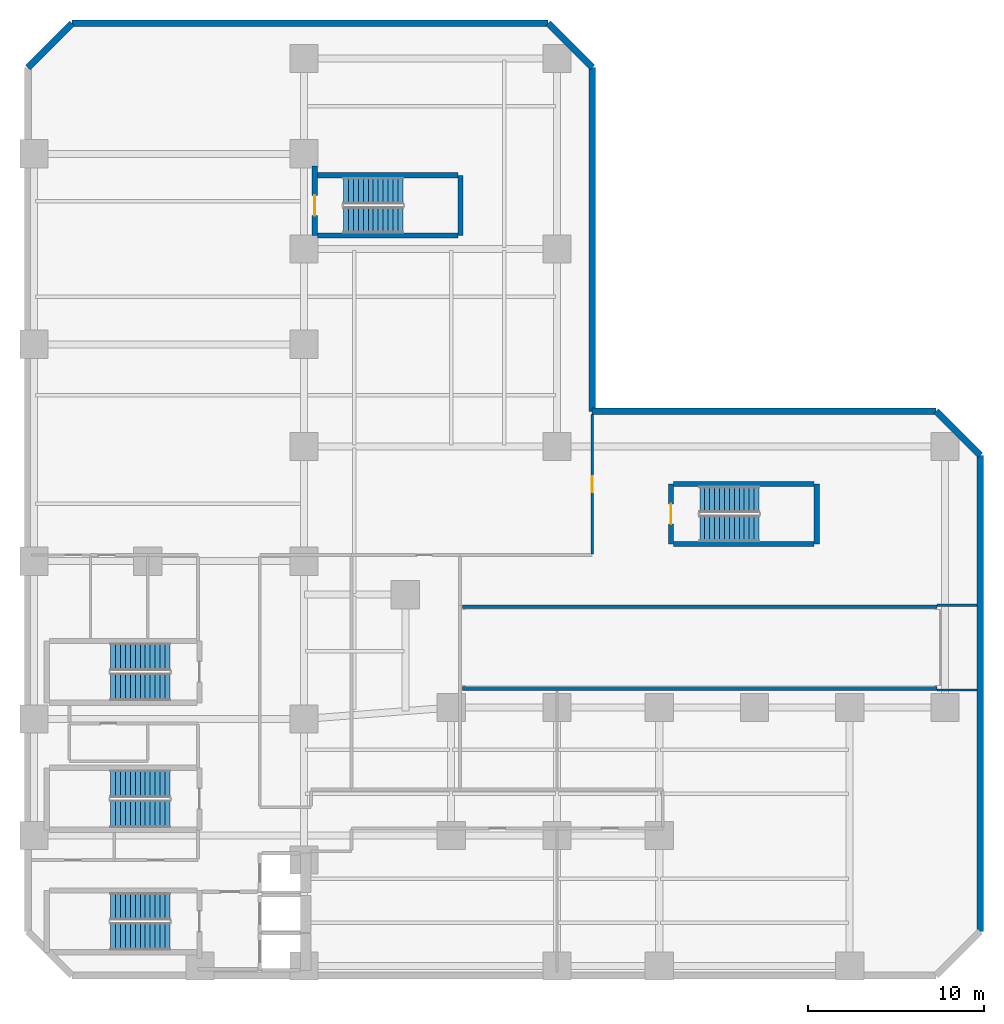
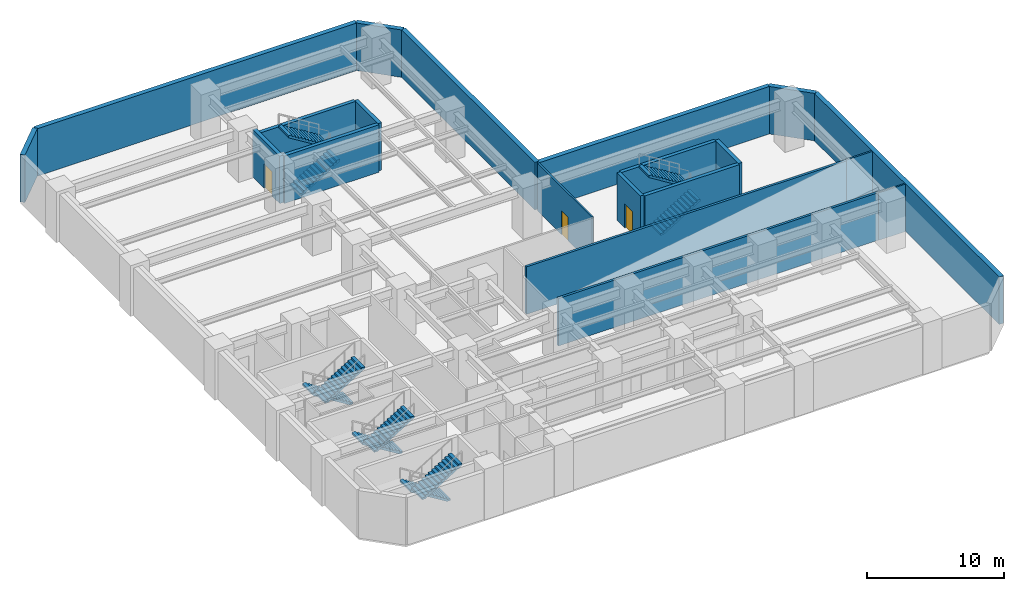
# One storey, part 4 of 7: 20 walls, 10 stair flights, 3 doors, 3 openings, 5 elements without a shape of their own.
"""IFC4 building model written with IfcOpenShell, lengths in metres."""

from ifc_helpers import new_model, si_unit, direction, frame, frame_2d, origin, place, context, subcontext, project, spatial, polyline, rectangle, outline, extrude, material, layer, layer_set, type_object, element, fill, aggregate, save


model = new_model("IFC4")

# Units and contexts
model_context = context("Model", 3, precision=1e-05, world=origin(), true_north=direction((0.0, 1.0)))
body_context = subcontext(model_context, "Body", "Model", "MODEL_VIEW")
ifc_project = project(units=[si_unit("LENGTHUNIT", "METRE"), si_unit("AREAUNIT", "SQUARE_METRE"), si_unit("VOLUMEUNIT", "CUBIC_METRE"), si_unit("PLANEANGLEUNIT", "RADIAN"), si_unit("MASSUNIT", "GRAM", prefix="KILO")], contexts=[model_context])

# Site, building, storey
site_placement = place(None, origin())
site = spatial("IfcSite", under=ifc_project, at=site_placement, CompositionType="ELEMENT")
building_placement = place(site_placement, origin())
building = spatial("IfcBuilding", under=site, at=building_placement, Name="Mawjaban Terraces University", CompositionType="ELEMENT")
storey_placement = place(building_placement, frame((0.0, 0.0, -4.5)))
storey = spatial("IfcBuildingStorey", under=building, at=storey_placement, Name="B1", CompositionType="ELEMENT", Elevation=-4.5)

# Walls
ifc_material_1 = material(Name="Concrete C50/60", Category="concrete")
ifc_layer_1 = layer(ifc_material_1, 0.3798828125)
ifc_layer_set_1 = layer_set([ifc_layer_1], Name="Concrete C50/60")
wall_type_1 = type_object("IfcWallType", Name="BsmtRetainingWall_380", PredefinedType="USERDEFINED", material=ifc_layer_set_1)
wall_1_placement = place(storey_placement, frame((76.0, 2.5, 0.0), z_axis=(0.0, 0.0, 1.0), x_axis=(0.0, 1.0, 0.0)))
element("IfcWall", 1, at=wall_1_placement, inside=storey, type_object=wall_type_1, Name="B1 Perimeter Retaining Wall 3", ObjectType="RETAININGWALL", PredefinedType="USERDEFINED", context=body_context, shape_type="SweptSolid", body=[
    extrude(rectangle(XDim=27.0, YDim=0.3798828125, at=frame_2d((13.5, 0.0))), origin(), (0.0, 0.0, 1.0), 4.219970703125),
])
wall_2_placement = place(storey_placement, frame((76.0, 29.5, 0.0), z_axis=(0.0, 0.0, 1.0), x_axis=(-0.707106781187, 0.707106781187, 0.0)))
element("IfcWall", 2, at=wall_2_placement, inside=storey, type_object=wall_type_1, Name="B1 Perimeter Retaining Wall 4", ObjectType="RETAININGWALL", PredefinedType="USERDEFINED", context=body_context, shape_type="SweptSolid", body=[
    extrude(rectangle(XDim=3.53564453125, YDim=0.3798828125, at=frame_2d((1.767822265625, 0.0))), origin(), (0.0, 0.0, 1.0), 4.219970703125),
])
for number, where, z_axis, x_axis, name in (
    (3, (73.5, 32.0, 0.0), (0.0, 0.0, 1.0), (-1.0, 0.0, 0.0), "B1 Perimeter Retaining Wall 5"),
    (4, (54.0, 32.0, 0.0), (0.0, 0.0, 1.0), (0.0, 1.0, 0.0), "B1 Perimeter Retaining Wall 6"),
):
    element("IfcWall", number, at=place(storey_placement, frame(where, z_axis=z_axis, x_axis=x_axis)), inside=storey, type_object=wall_type_1, Name=name, ObjectType="RETAININGWALL", PredefinedType="USERDEFINED", context=body_context, shape_type="SweptSolid", body=[
        extrude(rectangle(XDim=19.5, YDim=0.3798828125, at=frame_2d((9.75, 0.0))), origin(), (0.0, 0.0, 1.0), 4.219970703125),
    ])
wall_3_placement = place(storey_placement, frame((54.0, 51.5, 0.0), z_axis=(0.0, 0.0, 1.0), x_axis=(-0.707106781187, 0.707106781187, 0.0)))
element("IfcWall", 5, at=wall_3_placement, inside=storey, type_object=wall_type_1, Name="B1 Perimeter Retaining Wall 7", ObjectType="RETAININGWALL", PredefinedType="USERDEFINED", context=body_context, shape_type="SweptSolid", body=[
    extrude(rectangle(XDim=3.53564453125, YDim=0.3798828125, at=frame_2d((1.767822265625, 0.0))), origin(), (0.0, 0.0, 1.0), 4.219970703125),
])
wall_4_placement = place(storey_placement, frame((51.5, 54.0, 0.0), z_axis=(0.0, 0.0, 1.0), x_axis=(-1.0, 0.0, 0.0)))
element("IfcWall", 6, at=wall_4_placement, inside=storey, type_object=wall_type_1, Name="B1 Perimeter Retaining Wall 8", ObjectType="RETAININGWALL", PredefinedType="USERDEFINED", context=body_context, shape_type="SweptSolid", body=[
    extrude(rectangle(XDim=27.0, YDim=0.3798828125, at=frame_2d((13.5, 0.0))), origin(), (0.0, 0.0, 1.0), 4.219970703125),
])
wall_5_placement = place(storey_placement, frame((24.5, 54.0, 0.0), z_axis=(0.0, 0.0, 1.0), x_axis=(-0.707106781187, -0.707106781187, 0.0)))
element("IfcWall", 7, at=wall_5_placement, inside=storey, type_object=wall_type_1, Name="B1 Perimeter Retaining Wall 9", ObjectType="RETAININGWALL", PredefinedType="USERDEFINED", context=body_context, shape_type="SweptSolid", body=[
    extrude(rectangle(XDim=3.53564453125, YDim=0.3798828125, at=frame_2d((1.767822265625, 0.0))), origin(), (0.0, 0.0, 1.0), 4.219970703125),
])
ifc_material_2 = material(Name="Concrete C40/50", Category="concrete")
ifc_layer_2 = layer(ifc_material_2, 0.199951171875)
ifc_layer_set_2 = layer_set([ifc_layer_2], Name="Concrete C40/50")
wall_type_2 = type_object("IfcWallType", Name="FireLobbyWall_200", PredefinedType="SOLIDWALL", material=ifc_layer_set_2)
for number, where, z_axis, x_axis, name in (
    (8, (46.64990234375, 16.280029296875, 0.0), (0.0, 0.0, 1.0), (1.0, 0.0, 0.0), "B1 Vehicle Ramp Enclosure Wall S"),
    (9, (46.64990234375, 20.919921875, 0.0), (0.0, 0.0, 1.0), (1.0, 0.0, 0.0), "B1 Vehicle Ramp Enclosure Wall N"),
):
    element("IfcWall", number, at=place(storey_placement, frame(where, z_axis=z_axis, x_axis=x_axis)), inside=storey, type_object=wall_type_2, Name=name, PredefinedType="SOLIDWALL", context=body_context, shape_type="SweptSolid", body=[
        extrude(rectangle(XDim=26.900146484375, YDim=0.199951171875, at=frame_2d((13.4501953125, 0.0))), origin(), (0.0, 0.0, 1.0), 4.219970703125),
    ])
ifc_material_3 = material(Name="Moisture-resistant gypsum board on steel stud", Category="steel")
ifc_layer_3 = layer(ifc_material_3, 0.14501953125)
ifc_layer_set_3 = layer_set([ifc_layer_3], Name="Moisture-resistant gypsum board on steel stud")
wall_type_3 = type_object("IfcWallType", Name="LabPartition_145", PredefinedType="PARTITIONING", material=ifc_layer_set_3)
wall_6_placement = place(storey_placement, frame((73.550048828125, 21.0, 0.0), z_axis=(0.0, 0.0, 1.0), x_axis=(1.0, 0.0, 0.0)))
element("IfcWall", 10, at=wall_6_placement, inside=storey, type_object=wall_type_3, Name="B1 Basement Ventilation Plant Room Partition 22", PredefinedType="PARTITIONING", context=body_context, shape_type="SweptSolid", body=[
    extrude(rectangle(XDim=2.260009765625, YDim=0.14501953125, at=frame_2d((1.1298828125, 0.0))), origin(), (0.0, 0.0, 1.0), 4.219970703125),
])

# Wall, opening, door
wall_7_placement = place(storey_placement, frame((54.0, 23.91796875, 0.0), z_axis=(0.0, 0.0, 1.0), x_axis=(0.0, 1.0, 0.0)))
wall_7 = element("IfcWall", 11, at=wall_7_placement, inside=storey, type_object=wall_type_3, Name="B1 Enclosed Staff and Accessible Car Park Partition 41", PredefinedType="PARTITIONING", context=body_context, shape_type="SweptSolid", body=[
    extrude(rectangle(XDim=7.89208984375, YDim=0.14501953125, at=frame_2d((3.946044921875, 0.0))), origin(), (0.0, 0.0, 1.0), 4.219970703125),
])
opening_1_placement = place(wall_7_placement, frame((3.49609375, 0.0, 0.0)))
opening_1 = element("IfcOpeningElement", 12, at=opening_1_placement, cuts=wall_7, Name="Opening ID-090", PredefinedType="OPENING", context=body_context, shape_type="SweptSolid", body=[
    extrude(rectangle(XDim=0.89990234375, YDim=2.10009765625, at=frame_2d((0.449951171875, 1.050048828125))), frame((0.0, 0.08251953125, 0.0), z_axis=(0.0, -1.0, 0.0), x_axis=(1.0, 0.0, 0.0)), (0.0, 0.0, 1.0), 0.1650390625),
])
ifc_material_4 = material(Name="Powder-coated steel frame and solid acoustic timber leaf", Category="steel")
door_type_1 = type_object("IfcDoorType", Name="OfficeDoor_900x2100", OperationType="NOTDEFINED", PredefinedType="DOOR", material=ifc_material_4)
door_1_placement = place(opening_1_placement, origin())
door_1 = element("IfcDoor", 13, at=door_1_placement, inside=storey, type_object=door_type_1, Name="B1 Basement Ventilation Plant Room Door", OperationType="SINGLE_SWING_RIGHT", OverallHeight=2.10009765625, OverallWidth=0.89990234375, PredefinedType="DOOR", context=body_context, shape_type="SweptSolid", body=[
    extrude(rectangle(XDim=0.89990234375, YDim=2.10009765625, at=frame_2d((0.449951171875, 1.050048828125))), frame((0.0, 0.02490234375, 0.0), z_axis=(0.0, -1.0, 0.0), x_axis=(1.0, 0.0, 0.0)), (0.0, 0.0, 1.0), 0.050048828125),
])
fill(opening_1, door_1)

# Walls
ifc_material_5 = material(Name="Gypsum plasterboard on steel stud", Category="steel")
ifc_layer_4 = layer(ifc_material_5, 0.125)
ifc_layer_set_4 = layer_set([ifc_layer_4], Name="Gypsum plasterboard on steel stud")
wall_type_4 = type_object("IfcWallType", Name="OfficePartition_125", PredefinedType="PARTITIONING", material=ifc_layer_set_4)
wall_8_placement = place(storey_placement, frame((75.81005859375, 16.199951171875, 0.0), z_axis=(0.0, 0.0, 1.0), x_axis=(-1.0, 0.0, 0.0)))
element("IfcWall", 14, at=wall_8_placement, inside=storey, type_object=wall_type_4, Name="B1 Campus Delivery Loading Bay Partition 23", PredefinedType="PARTITIONING", context=body_context, shape_type="SweptSolid", body=[
    extrude(rectangle(XDim=2.260009765625, YDim=0.125, at=frame_2d((1.1298828125, 0.0))), origin(), (0.0, 0.0, 1.0), 4.219970703125),
])
ifc_material_6 = material(Name="Concrete C60/75", Category="concrete")
ifc_layer_5 = layer(ifc_material_6, 0.300048828125)
ifc_layer_set_5 = layer_set([ifc_layer_5], Name="Concrete C60/75")
wall_type_5 = type_object("IfcWallType", Name="StairShaftWall_300", PredefinedType="SHEAR", material=ifc_layer_set_5)
wall_9_placement = place(storey_placement, frame((38.419921875, 41.969970703125, 0.0), z_axis=(0.0, 0.0, 1.0), x_axis=(1.0, 0.0, 0.0)))
element("IfcWall", 15, at=wall_9_placement, inside=storey, type_object=wall_type_5, Name="B1 ST-4 Stair Shaft Wall 1", PredefinedType="SHEAR", context=body_context, shape_type="SweptSolid", body=[
    extrude(rectangle(XDim=7.9599609375, YDim=0.300048828125, at=frame_2d((3.97998046875, 0.0))), origin(), (0.0, 0.0, 1.0), 4.219970703125),
])
wall_10_placement = place(storey_placement, frame((46.530029296875, 41.969970703125, 0.0), z_axis=(0.0, 0.0, 1.0), x_axis=(0.0, 1.0, 0.0)))
element("IfcWall", 16, at=wall_10_placement, inside=storey, type_object=wall_type_5, Name="B1 ST-4 Stair Shaft Wall 2", PredefinedType="SHEAR", context=body_context, shape_type="SweptSolid", body=[
    extrude(rectangle(XDim=3.409912109375, YDim=0.300048828125, at=frame_2d((1.705078125, 0.0))), origin(), (0.0, 0.0, 1.0), 4.219970703125),
])
wall_11_placement = place(storey_placement, frame((46.3798828125, 45.3798828125, 0.0), z_axis=(0.0, 0.0, 1.0), x_axis=(-1.0, 0.0, 0.0)))
element("IfcWall", 17, at=wall_11_placement, inside=storey, type_object=wall_type_5, Name="B1 ST-4 Stair Shaft Wall 3", PredefinedType="SHEAR", context=body_context, shape_type="SweptSolid", body=[
    extrude(rectangle(XDim=7.9599609375, YDim=0.300048828125, at=frame_2d((3.97998046875, 0.0))), origin(), (0.0, 0.0, 1.0), 4.219970703125),
])

# Wall, opening, door
wall_12_placement = place(storey_placement, frame((38.27001953125, 45.919921875, 0.0), z_axis=(0.0, 0.0, 1.0), x_axis=(0.0, -1.0, 0.0)))
wall_12 = element("IfcWall", 18, at=wall_12_placement, inside=storey, type_object=wall_type_5, Name="B1 ST-4 Stair Shaft Wall 4", PredefinedType="SHEAR", context=body_context, shape_type="SweptSolid", body=[
    extrude(rectangle(XDim=3.949951171875, YDim=0.300048828125, at=frame_2d((1.97509765625, 0.0))), origin(), (0.0, 0.0, 1.0), 4.219970703125),
])
opening_2_placement = place(wall_12_placement, frame((1.669921875, 0.0, 0.0)))
opening_2 = element("IfcOpeningElement", 19, at=opening_2_placement, cuts=wall_12, Name="Opening FD-115", PredefinedType="OPENING", context=body_context, shape_type="SweptSolid", body=[
    extrude(rectangle(XDim=1.14990234375, YDim=2.14990234375, at=frame_2d((0.574951171875, 1.074951171875))), frame((0.0, 0.159912109375, 0.0), z_axis=(0.0, -1.0, 0.0), x_axis=(1.0, 0.0, 0.0)), (0.0, 0.0, 1.0), 0.320068359375),
])
ifc_material_7 = material(Name="Powder-coated steel frame and fire-rated steel-faced leaf", Category="steel")
door_type_2 = type_object("IfcDoorType", Name="FireStairDoor_1150x2150", OperationType="NOTDEFINED", PredefinedType="DOOR", material=ifc_material_7)
door_2_placement = place(opening_2_placement, origin())
door_2 = element("IfcDoor", 20, at=door_2_placement, inside=storey, type_object=door_type_2, Name="B1 ST-4 Pressurised Stair Fire Door", OperationType="SINGLE_SWING_LEFT", OverallHeight=2.14990234375, OverallWidth=1.14990234375, PredefinedType="DOOR", context=body_context, shape_type="SweptSolid", body=[
    extrude(rectangle(XDim=1.14990234375, YDim=2.14990234375, at=frame_2d((0.574951171875, 1.074951171875))), frame((0.0, 0.02490234375, 0.0), z_axis=(0.0, -1.0, 0.0), x_axis=(1.0, 0.0, 0.0)), (0.0, 0.0, 1.0), 0.050048828125),
])
fill(opening_2, door_2)

# Walls
wall_13_placement = place(storey_placement, frame((58.6201171875, 24.469970703125, 0.0), z_axis=(0.0, 0.0, 1.0), x_axis=(1.0, 0.0, 0.0)))
element("IfcWall", 21, at=wall_13_placement, inside=storey, type_object=wall_type_5, Name="B1 ST-5 Stair Shaft Wall 1", PredefinedType="SHEAR", context=body_context, shape_type="SweptSolid", body=[
    extrude(rectangle(XDim=7.9599609375, YDim=0.300048828125, at=frame_2d((3.97998046875, 0.0))), origin(), (0.0, 0.0, 1.0), 4.219970703125),
])
wall_14_placement = place(storey_placement, frame((66.72998046875, 24.469970703125, 0.0), z_axis=(0.0, 0.0, 1.0), x_axis=(0.0, 1.0, 0.0)))
element("IfcWall", 22, at=wall_14_placement, inside=storey, type_object=wall_type_5, Name="B1 ST-5 Stair Shaft Wall 2", PredefinedType="SHEAR", context=body_context, shape_type="SweptSolid", body=[
    extrude(rectangle(XDim=3.409912109375, YDim=0.300048828125, at=frame_2d((1.705078125, 0.0))), origin(), (0.0, 0.0, 1.0), 4.219970703125),
])
wall_15_placement = place(storey_placement, frame((66.580078125, 27.8798828125, 0.0), z_axis=(0.0, 0.0, 1.0), x_axis=(-1.0, 0.0, 0.0)))
element("IfcWall", 23, at=wall_15_placement, inside=storey, type_object=wall_type_5, Name="B1 ST-5 Stair Shaft Wall 3", PredefinedType="SHEAR", context=body_context, shape_type="SweptSolid", body=[
    extrude(rectangle(XDim=7.9599609375, YDim=0.300048828125, at=frame_2d((3.97998046875, 0.0))), origin(), (0.0, 0.0, 1.0), 4.219970703125),
])

# Wall, opening, door
wall_16_placement = place(storey_placement, frame((58.469970703125, 27.8798828125, 0.0), z_axis=(0.0, 0.0, 1.0), x_axis=(0.0, -1.0, 0.0)))
wall_16 = element("IfcWall", 24, at=wall_16_placement, inside=storey, type_object=wall_type_5, Name="B1 ST-5 Stair Shaft Wall 4", PredefinedType="SHEAR", context=body_context, shape_type="SweptSolid", body=[
    extrude(rectangle(XDim=3.409912109375, YDim=0.300048828125, at=frame_2d((1.705078125, 0.0))), origin(), (0.0, 0.0, 1.0), 4.219970703125),
])
opening_3_placement = place(wall_16_placement, frame((1.1298828125, 0.0, 0.0)))
opening_3 = element("IfcOpeningElement", 25, at=opening_3_placement, cuts=wall_16, Name="Opening FD-115", PredefinedType="OPENING", context=body_context, shape_type="SweptSolid", body=[
    extrude(rectangle(XDim=1.14990234375, YDim=2.14990234375, at=frame_2d((0.574951171875, 1.074951171875))), frame((0.0, 0.159912109375, 0.0), z_axis=(0.0, -1.0, 0.0), x_axis=(1.0, 0.0, 0.0)), (0.0, 0.0, 1.0), 0.320068359375),
])
door_3_placement = place(opening_3_placement, origin())
door_3 = element("IfcDoor", 26, at=door_3_placement, inside=storey, type_object=door_type_2, Name="B1 ST-5 Pressurised Stair Fire Door", OperationType="SINGLE_SWING_RIGHT", OverallHeight=2.14990234375, OverallWidth=1.14990234375, PredefinedType="DOOR", context=body_context, shape_type="SweptSolid", body=[
    extrude(rectangle(XDim=1.14990234375, YDim=2.14990234375, at=frame_2d((0.574951171875, 1.074951171875))), frame((0.0, 0.02490234375, 0.0), z_axis=(0.0, -1.0, 0.0), x_axis=(1.0, 0.0, 0.0)), (0.0, 0.0, 1.0), 0.050048828125),
])
fill(opening_3, door_3)

# Stair, stair flights
stair_type_1 = type_object("IfcStairType", Name="Stair_Core1550_H45", PredefinedType="HALF_TURN_STAIR", material=ifc_material_2)
stair_1_placement = place(storey_placement, origin())
stair_1 = element("IfcStair", 27, at=stair_1_placement, inside=storey, type_object=stair_type_1, Name="B1 Core Exit Stair 1", PredefinedType="HALF_TURN_STAIR")
stair_flight_type_1 = type_object("IfcStairFlightType", Name="Flight_Core1550_H45", PredefinedType="STRAIGHT", material=ifc_material_2)
stair_flight_1_placement = place(storey_placement, frame((30.050048828125, 3.925048828125, 0.0), z_axis=(0.0, 0.0, 1.0), x_axis=(-1.0, 0.0, 0.0)))
stair_flight_1 = element("IfcStairFlight", 28, at=stair_flight_1_placement, type_object=stair_flight_type_1, Name="ST-1 flight 1", NumberOfRisers=13, NumberOfTreads=12, PredefinedType="STRAIGHT", RiserHeight=0.173076923, TreadLength=0.28, context=body_context, shape_type="SweptSolid", body=[
    extrude(outline(polyline([(0.0, 0.0), (0.0, 0.173095703125), (0.280029296875, 0.173095703125), (0.280029296875, 0.34619140625), (0.56005859375, 0.34619140625), (0.56005859375, 0.519287109375), (0.840087890625, 0.519287109375), (0.840087890625, 0.6923828125), (1.1201171875, 0.6923828125), (1.1201171875, 0.865478515625), (1.39990234375, 0.865478515625), (1.39990234375, 1.03857421875), (1.679931640625, 1.03857421875), (1.679931640625, 1.21142578125), (1.9599609375, 1.21142578125), (1.9599609375, 1.384521484375), (2.239990234375, 1.384521484375), (2.239990234375, 1.5576171875), (2.52001953125, 1.5576171875), (2.52001953125, 1.730712890625), (2.800048828125, 1.730712890625), (2.800048828125, 1.90380859375), (3.080078125, 1.90380859375), (3.080078125, 2.076904296875), (3.360107421875, 2.076904296875), (3.360107421875, 2.25), (3.360107421875, 1.900634765625), (0.28515625, 0.0), (0.0, 0.0)])), frame((0.0, 0.77490234375, 0.0), z_axis=(0.0, -1.0, 0.0), x_axis=(1.0, 0.0, 0.0)), (0.0, 0.0, 1.0), 1.550048828125),
])
stair_flight_2_placement = place(storey_placement, frame((26.68994140625, 2.22509765625, 2.25), z_axis=(0.0, 0.0, 1.0), x_axis=(1.0, 0.0, 0.0)))
stair_flight_2 = element("IfcStairFlight", 29, at=stair_flight_2_placement, type_object=stair_flight_type_1, Name="ST-1 flight 2", NumberOfRisers=13, NumberOfTreads=12, PredefinedType="STRAIGHT", RiserHeight=0.173076923, TreadLength=0.28, context=body_context, shape_type="SweptSolid", body=[
    extrude(outline(polyline([(0.0, 0.0), (0.0, 0.173095703125), (0.280029296875, 0.173095703125), (0.280029296875, 0.34619140625), (0.56005859375, 0.34619140625), (0.56005859375, 0.519287109375), (0.840087890625, 0.519287109375), (0.840087890625, 0.6923828125), (1.1201171875, 0.6923828125), (1.1201171875, 0.865478515625), (1.39990234375, 0.865478515625), (1.39990234375, 1.03857421875), (1.679931640625, 1.03857421875), (1.679931640625, 1.21142578125), (1.9599609375, 1.21142578125), (1.9599609375, 1.384521484375), (2.239990234375, 1.384521484375), (2.239990234375, 1.5576171875), (2.52001953125, 1.5576171875), (2.52001953125, 1.730712890625), (2.800048828125, 1.730712890625), (2.800048828125, 1.90380859375), (3.080078125, 1.90380859375), (3.080078125, 2.076904296875), (3.360107421875, 2.076904296875), (3.360107421875, 2.25), (3.360107421875, 1.900634765625), (0.28515625, 0.0), (0.0, 0.0)])), frame((0.0, 0.77490234375, 0.0), z_axis=(0.0, -1.0, 0.0), x_axis=(1.0, 0.0, 0.0)), (0.0, 0.0, 1.0), 1.550048828125),
])
aggregate(stair_1, [stair_flight_1, stair_flight_2])

stair_2_placement = place(storey_placement, origin())
stair_2 = element("IfcStair", 30, at=stair_2_placement, inside=storey, type_object=stair_type_1, Name="B1 Core Exit Stair 2", PredefinedType="HALF_TURN_STAIR")
stair_flight_3_placement = place(storey_placement, frame((30.050048828125, 18.074951171875, 0.0), z_axis=(0.0, 0.0, 1.0), x_axis=(-1.0, 0.0, 0.0)))
stair_flight_3 = element("IfcStairFlight", 31, at=stair_flight_3_placement, type_object=stair_flight_type_1, Name="ST-2 flight 1", NumberOfRisers=13, NumberOfTreads=12, PredefinedType="STRAIGHT", RiserHeight=0.173076923, TreadLength=0.28, context=body_context, shape_type="SweptSolid", body=[
    extrude(outline(polyline([(0.0, 0.0), (0.0, 0.173095703125), (0.280029296875, 0.173095703125), (0.280029296875, 0.34619140625), (0.56005859375, 0.34619140625), (0.56005859375, 0.519287109375), (0.840087890625, 0.519287109375), (0.840087890625, 0.6923828125), (1.1201171875, 0.6923828125), (1.1201171875, 0.865478515625), (1.39990234375, 0.865478515625), (1.39990234375, 1.03857421875), (1.679931640625, 1.03857421875), (1.679931640625, 1.21142578125), (1.9599609375, 1.21142578125), (1.9599609375, 1.384521484375), (2.239990234375, 1.384521484375), (2.239990234375, 1.5576171875), (2.52001953125, 1.5576171875), (2.52001953125, 1.730712890625), (2.800048828125, 1.730712890625), (2.800048828125, 1.90380859375), (3.080078125, 1.90380859375), (3.080078125, 2.076904296875), (3.360107421875, 2.076904296875), (3.360107421875, 2.25), (3.360107421875, 1.900634765625), (0.28515625, 0.0), (0.0, 0.0)])), frame((0.0, 0.77490234375, 0.0), z_axis=(0.0, -1.0, 0.0), x_axis=(1.0, 0.0, 0.0)), (0.0, 0.0, 1.0), 1.550048828125),
])
stair_flight_4_placement = place(storey_placement, frame((26.68994140625, 16.375, 2.25), z_axis=(0.0, 0.0, 1.0), x_axis=(1.0, 0.0, 0.0)))
stair_flight_4 = element("IfcStairFlight", 32, at=stair_flight_4_placement, type_object=stair_flight_type_1, Name="ST-2 flight 2", NumberOfRisers=13, NumberOfTreads=12, PredefinedType="STRAIGHT", RiserHeight=0.173076923, TreadLength=0.28, context=body_context, shape_type="SweptSolid", body=[
    extrude(outline(polyline([(0.0, 0.0), (0.0, 0.173095703125), (0.280029296875, 0.173095703125), (0.280029296875, 0.34619140625), (0.56005859375, 0.34619140625), (0.56005859375, 0.519287109375), (0.840087890625, 0.519287109375), (0.840087890625, 0.6923828125), (1.1201171875, 0.6923828125), (1.1201171875, 0.865478515625), (1.39990234375, 0.865478515625), (1.39990234375, 1.03857421875), (1.679931640625, 1.03857421875), (1.679931640625, 1.21142578125), (1.9599609375, 1.21142578125), (1.9599609375, 1.384521484375), (2.239990234375, 1.384521484375), (2.239990234375, 1.5576171875), (2.52001953125, 1.5576171875), (2.52001953125, 1.730712890625), (2.800048828125, 1.730712890625), (2.800048828125, 1.90380859375), (3.080078125, 1.90380859375), (3.080078125, 2.076904296875), (3.360107421875, 2.076904296875), (3.360107421875, 2.25), (3.360107421875, 1.900634765625), (0.28515625, 0.0), (0.0, 0.0)])), frame((0.0, 0.77490234375, 0.0), z_axis=(0.0, -1.0, 0.0), x_axis=(1.0, 0.0, 0.0)), (0.0, 0.0, 1.0), 1.550048828125),
])
aggregate(stair_2, [stair_flight_3, stair_flight_4])

stair_3_placement = place(storey_placement, origin())
stair_3 = element("IfcStair", 33, at=stair_3_placement, inside=storey, type_object=stair_type_1, Name="B1 Core Exit Stair 3", PredefinedType="HALF_TURN_STAIR")
stair_flight_5_placement = place(storey_placement, frame((30.050048828125, 10.875, 0.0), z_axis=(0.0, 0.0, 1.0), x_axis=(-1.0, 0.0, 0.0)))
stair_flight_5 = element("IfcStairFlight", 34, at=stair_flight_5_placement, type_object=stair_flight_type_1, Name="ST-3 flight 1", NumberOfRisers=13, NumberOfTreads=12, PredefinedType="STRAIGHT", RiserHeight=0.173076923, TreadLength=0.28, context=body_context, shape_type="SweptSolid", body=[
    extrude(outline(polyline([(0.0, 0.0), (0.0, 0.173095703125), (0.280029296875, 0.173095703125), (0.280029296875, 0.34619140625), (0.56005859375, 0.34619140625), (0.56005859375, 0.519287109375), (0.840087890625, 0.519287109375), (0.840087890625, 0.6923828125), (1.1201171875, 0.6923828125), (1.1201171875, 0.865478515625), (1.39990234375, 0.865478515625), (1.39990234375, 1.03857421875), (1.679931640625, 1.03857421875), (1.679931640625, 1.21142578125), (1.9599609375, 1.21142578125), (1.9599609375, 1.384521484375), (2.239990234375, 1.384521484375), (2.239990234375, 1.5576171875), (2.52001953125, 1.5576171875), (2.52001953125, 1.730712890625), (2.800048828125, 1.730712890625), (2.800048828125, 1.90380859375), (3.080078125, 1.90380859375), (3.080078125, 2.076904296875), (3.360107421875, 2.076904296875), (3.360107421875, 2.25), (3.360107421875, 1.900634765625), (0.28515625, 0.0), (0.0, 0.0)])), frame((0.0, 0.77490234375, 0.0), z_axis=(0.0, -1.0, 0.0), x_axis=(1.0, 0.0, 0.0)), (0.0, 0.0, 1.0), 1.550048828125),
])
stair_flight_6_placement = place(storey_placement, frame((26.68994140625, 9.175048828125, 2.25), z_axis=(0.0, 0.0, 1.0), x_axis=(1.0, 0.0, 0.0)))
stair_flight_6 = element("IfcStairFlight", 35, at=stair_flight_6_placement, type_object=stair_flight_type_1, Name="ST-3 flight 2", NumberOfRisers=13, NumberOfTreads=12, PredefinedType="STRAIGHT", RiserHeight=0.173076923, TreadLength=0.28, context=body_context, shape_type="SweptSolid", body=[
    extrude(outline(polyline([(0.0, 0.0), (0.0, 0.173095703125), (0.280029296875, 0.173095703125), (0.280029296875, 0.34619140625), (0.56005859375, 0.34619140625), (0.56005859375, 0.519287109375), (0.840087890625, 0.519287109375), (0.840087890625, 0.6923828125), (1.1201171875, 0.6923828125), (1.1201171875, 0.865478515625), (1.39990234375, 0.865478515625), (1.39990234375, 1.03857421875), (1.679931640625, 1.03857421875), (1.679931640625, 1.21142578125), (1.9599609375, 1.21142578125), (1.9599609375, 1.384521484375), (2.239990234375, 1.384521484375), (2.239990234375, 1.5576171875), (2.52001953125, 1.5576171875), (2.52001953125, 1.730712890625), (2.800048828125, 1.730712890625), (2.800048828125, 1.90380859375), (3.080078125, 1.90380859375), (3.080078125, 2.076904296875), (3.360107421875, 2.076904296875), (3.360107421875, 2.25), (3.360107421875, 1.900634765625), (0.28515625, 0.0), (0.0, 0.0)])), frame((0.0, 0.77490234375, 0.0), z_axis=(0.0, -1.0, 0.0), x_axis=(1.0, 0.0, 0.0)), (0.0, 0.0, 1.0), 1.550048828125),
])
aggregate(stair_3, [stair_flight_5, stair_flight_6])

stair_type_2 = type_object("IfcStairType", Name="Stair_Pod1500_H45", PredefinedType="HALF_TURN_STAIR", material=ifc_material_2)
stair_4_placement = place(storey_placement, origin())
stair_4 = element("IfcStair", 36, at=stair_4_placement, inside=storey, type_object=stair_type_2, Name="B1 Podium North Exit Stair 4", PredefinedType="HALF_TURN_STAIR")
stair_flight_type_2 = type_object("IfcStairFlightType", Name="Flight_Pod1500_H45", PredefinedType="STRAIGHT", material=ifc_material_2)
stair_flight_7_placement = place(storey_placement, frame((39.89990234375, 42.85009765625, 0.0), z_axis=(0.0, 0.0, 1.0), x_axis=(1.0, 0.0, 0.0)))
stair_flight_7 = element("IfcStairFlight", 37, at=stair_flight_7_placement, type_object=stair_flight_type_2, Name="ST-4 flight 1", NumberOfRisers=13, NumberOfTreads=12, PredefinedType="STRAIGHT", RiserHeight=0.173076923, TreadLength=0.28, context=body_context, shape_type="SweptSolid", body=[
    extrude(outline(polyline([(0.0, 0.0), (0.0, 0.173095703125), (0.280029296875, 0.173095703125), (0.280029296875, 0.34619140625), (0.56005859375, 0.34619140625), (0.56005859375, 0.519287109375), (0.840087890625, 0.519287109375), (0.840087890625, 0.6923828125), (1.1201171875, 0.6923828125), (1.1201171875, 0.865478515625), (1.39990234375, 0.865478515625), (1.39990234375, 1.03857421875), (1.679931640625, 1.03857421875), (1.679931640625, 1.21142578125), (1.9599609375, 1.21142578125), (1.9599609375, 1.384521484375), (2.239990234375, 1.384521484375), (2.239990234375, 1.5576171875), (2.52001953125, 1.5576171875), (2.52001953125, 1.730712890625), (2.800048828125, 1.730712890625), (2.800048828125, 1.90380859375), (3.080078125, 1.90380859375), (3.080078125, 2.076904296875), (3.360107421875, 2.076904296875), (3.360107421875, 2.25), (3.360107421875, 1.900634765625), (0.28515625, 0.0), (0.0, 0.0)])), frame((0.0, 0.75, 0.0), z_axis=(0.0, -1.0, 0.0), x_axis=(1.0, 0.0, 0.0)), (0.0, 0.0, 1.0), 1.5),
])
stair_flight_8_placement = place(storey_placement, frame((43.260009765625, 44.5, 2.25), z_axis=(0.0, 0.0, 1.0), x_axis=(-1.0, 0.0, 0.0)))
stair_flight_8 = element("IfcStairFlight", 38, at=stair_flight_8_placement, type_object=stair_flight_type_2, Name="ST-4 flight 2", NumberOfRisers=13, NumberOfTreads=12, PredefinedType="STRAIGHT", RiserHeight=0.173076923, TreadLength=0.28, context=body_context, shape_type="SweptSolid", body=[
    extrude(outline(polyline([(0.0, 0.0), (0.0, 0.173095703125), (0.280029296875, 0.173095703125), (0.280029296875, 0.34619140625), (0.56005859375, 0.34619140625), (0.56005859375, 0.519287109375), (0.840087890625, 0.519287109375), (0.840087890625, 0.6923828125), (1.1201171875, 0.6923828125), (1.1201171875, 0.865478515625), (1.39990234375, 0.865478515625), (1.39990234375, 1.03857421875), (1.679931640625, 1.03857421875), (1.679931640625, 1.21142578125), (1.9599609375, 1.21142578125), (1.9599609375, 1.384521484375), (2.239990234375, 1.384521484375), (2.239990234375, 1.5576171875), (2.52001953125, 1.5576171875), (2.52001953125, 1.730712890625), (2.800048828125, 1.730712890625), (2.800048828125, 1.90380859375), (3.080078125, 1.90380859375), (3.080078125, 2.076904296875), (3.360107421875, 2.076904296875), (3.360107421875, 2.25), (3.360107421875, 1.900634765625), (0.28515625, 0.0), (0.0, 0.0)])), frame((0.0, 0.75, 0.0), z_axis=(0.0, -1.0, 0.0), x_axis=(1.0, 0.0, 0.0)), (0.0, 0.0, 1.0), 1.5),
])
aggregate(stair_4, [stair_flight_7, stair_flight_8])

stair_5_placement = place(storey_placement, origin())
stair_5 = element("IfcStair", 39, at=stair_5_placement, inside=storey, type_object=stair_type_2, Name="B1 Podium East Exit Stair 5", PredefinedType="HALF_TURN_STAIR")
stair_flight_9_placement = place(storey_placement, frame((60.10009765625, 25.35009765625, 0.0), z_axis=(0.0, 0.0, 1.0), x_axis=(1.0, 0.0, 0.0)))
stair_flight_9 = element("IfcStairFlight", 40, at=stair_flight_9_placement, type_object=stair_flight_type_2, Name="ST-5 flight 1", NumberOfRisers=13, NumberOfTreads=12, PredefinedType="STRAIGHT", RiserHeight=0.173076923, TreadLength=0.28, context=body_context, shape_type="SweptSolid", body=[
    extrude(outline(polyline([(0.0, 0.0), (0.0, 0.173095703125), (0.280029296875, 0.173095703125), (0.280029296875, 0.34619140625), (0.56005859375, 0.34619140625), (0.56005859375, 0.519287109375), (0.840087890625, 0.519287109375), (0.840087890625, 0.6923828125), (1.1201171875, 0.6923828125), (1.1201171875, 0.865478515625), (1.39990234375, 0.865478515625), (1.39990234375, 1.03857421875), (1.679931640625, 1.03857421875), (1.679931640625, 1.21142578125), (1.9599609375, 1.21142578125), (1.9599609375, 1.384521484375), (2.239990234375, 1.384521484375), (2.239990234375, 1.5576171875), (2.52001953125, 1.5576171875), (2.52001953125, 1.730712890625), (2.800048828125, 1.730712890625), (2.800048828125, 1.90380859375), (3.080078125, 1.90380859375), (3.080078125, 2.076904296875), (3.360107421875, 2.076904296875), (3.360107421875, 2.25), (3.360107421875, 1.900634765625), (0.28515625, 0.0), (0.0, 0.0)])), frame((0.0, 0.75, 0.0), z_axis=(0.0, -1.0, 0.0), x_axis=(1.0, 0.0, 0.0)), (0.0, 0.0, 1.0), 1.5),
])
stair_flight_10_placement = place(storey_placement, frame((63.4599609375, 27.0, 2.25), z_axis=(0.0, 0.0, 1.0), x_axis=(-1.0, 0.0, 0.0)))
stair_flight_10 = element("IfcStairFlight", 41, at=stair_flight_10_placement, type_object=stair_flight_type_2, Name="ST-5 flight 2", NumberOfRisers=13, NumberOfTreads=12, PredefinedType="STRAIGHT", RiserHeight=0.173076923, TreadLength=0.28, context=body_context, shape_type="SweptSolid", body=[
    extrude(outline(polyline([(0.0, 0.0), (0.0, 0.173095703125), (0.280029296875, 0.173095703125), (0.280029296875, 0.34619140625), (0.56005859375, 0.34619140625), (0.56005859375, 0.519287109375), (0.840087890625, 0.519287109375), (0.840087890625, 0.6923828125), (1.1201171875, 0.6923828125), (1.1201171875, 0.865478515625), (1.39990234375, 0.865478515625), (1.39990234375, 1.03857421875), (1.679931640625, 1.03857421875), (1.679931640625, 1.21142578125), (1.9599609375, 1.21142578125), (1.9599609375, 1.384521484375), (2.239990234375, 1.384521484375), (2.239990234375, 1.5576171875), (2.52001953125, 1.5576171875), (2.52001953125, 1.730712890625), (2.800048828125, 1.730712890625), (2.800048828125, 1.90380859375), (3.080078125, 1.90380859375), (3.080078125, 2.076904296875), (3.360107421875, 2.076904296875), (3.360107421875, 2.25), (3.360107421875, 1.900634765625), (0.28515625, 0.0), (0.0, 0.0)])), frame((0.0, 0.75, 0.0), z_axis=(0.0, -1.0, 0.0), x_axis=(1.0, 0.0, 0.0)), (0.0, 0.0, 1.0), 1.5),
])
aggregate(stair_5, [stair_flight_9, stair_flight_10])

save(model, "model.ifc")
